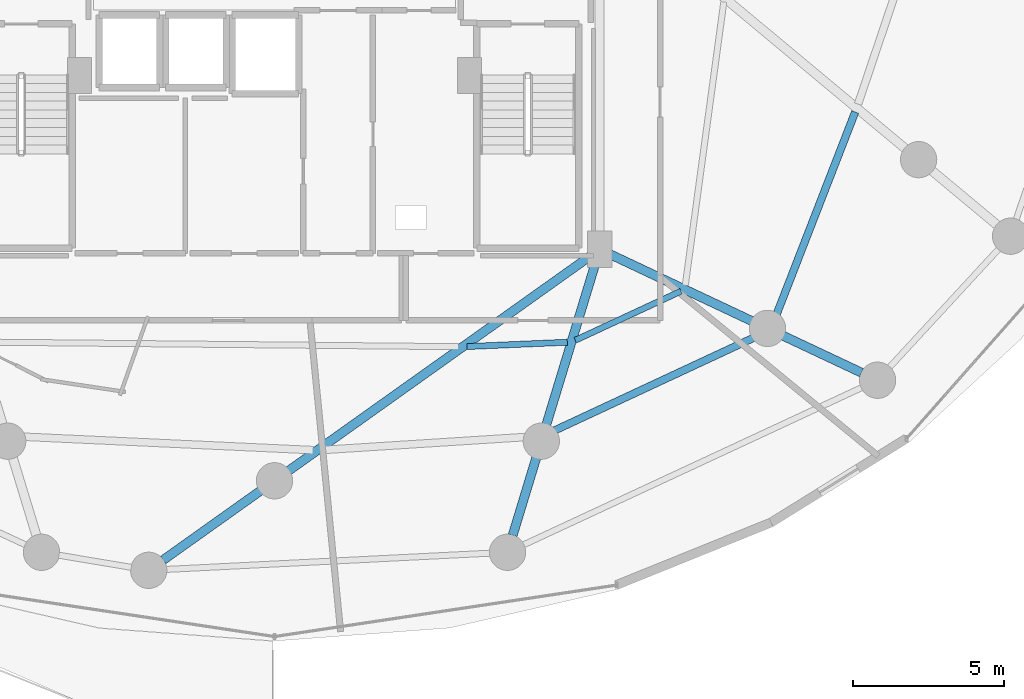
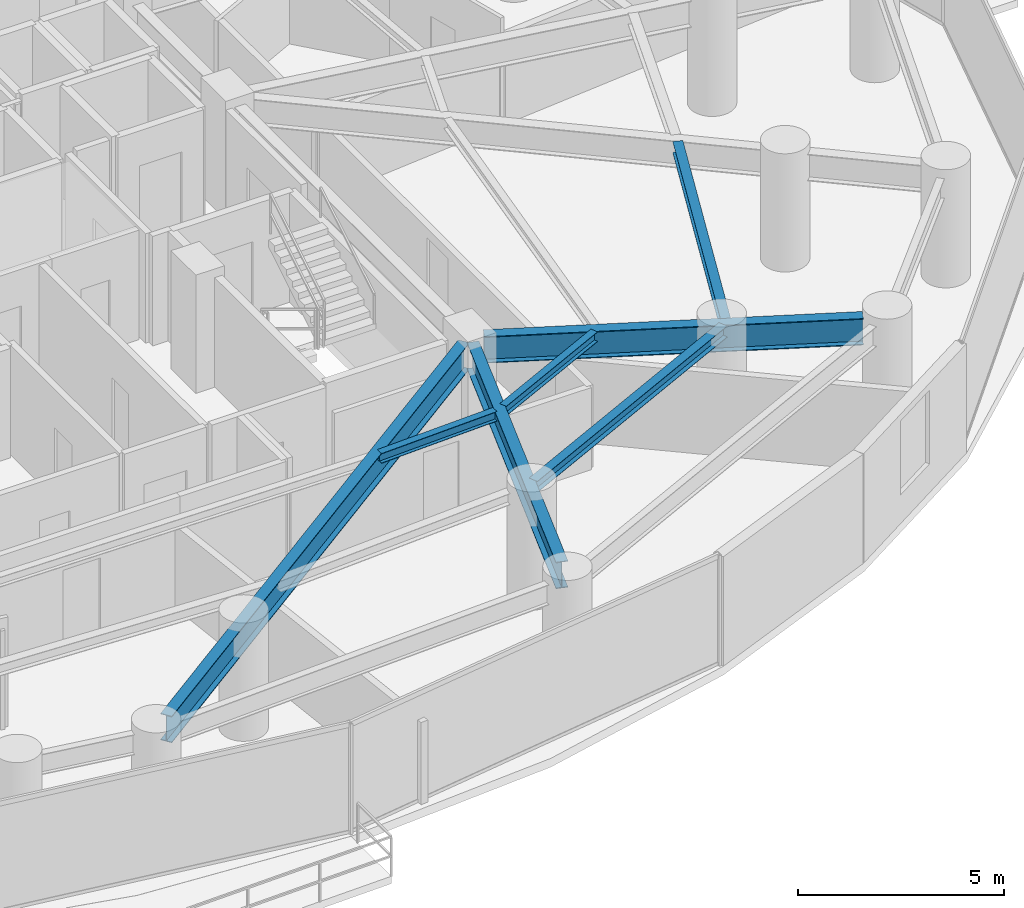
# One storey, part 10 of 30: 7 beams.
"""IFC4 building model written with IfcOpenShell, lengths in metres."""

from ifc_helpers import new_model, si_unit, direction, frame, origin, origin_2d, place, context, subcontext, project, spatial, i_section, extrude, material, material_profile, profile_set, type_object, element, save


model = new_model("IFC4")

# Units and contexts
model_context = context("Model", 3, precision=1e-05, world=origin(), true_north=direction((0.0, 1.0)))
body_context = subcontext(model_context, "Body", "Model", "MODEL_VIEW")
ifc_project = project(units=[si_unit("LENGTHUNIT", "METRE"), si_unit("AREAUNIT", "SQUARE_METRE"), si_unit("VOLUMEUNIT", "CUBIC_METRE"), si_unit("PLANEANGLEUNIT", "RADIAN"), si_unit("MASSUNIT", "GRAM", prefix="KILO")], contexts=[model_context])

# Site, building, storey
site_placement = place(None, origin())
site = spatial("IfcSite", under=ifc_project, at=site_placement, CompositionType="ELEMENT")
building_placement = place(site_placement, origin())
building = spatial("IfcBuilding", under=site, at=building_placement, Name="Vorneva Point Tower", CompositionType="ELEMENT")
storey_placement = place(building_placement, frame((0.0, 0.0, 55.5)))
storey = spatial("IfcBuildingStorey", under=building, at=storey_placement, Name="L14", CompositionType="ELEMENT", Elevation=55.5)

# Beams
ifc_material = material(Name="Steel S355", Category="steel")
ifc_material_profile_1 = material_profile(ifc_material, i_section(OverallWidth=0.300048828125, OverallDepth=0.7880859375, WebThickness=0.014404296875, FlangeThickness=0.02197265625, at=origin_2d()), Name="80Sh1")
ifc_profile_set_1 = profile_set([ifc_material_profile_1], Name="Steel S355")
beam_type_1 = type_object("IfcBeamType", Name="BM-GRD-80Sh1", PredefinedType="USERDEFINED", material=ifc_profile_set_1)
beam_1_placement = place(storey_placement, frame((34.319580078125, 6.180908203125, 2.845947265625), z_axis=(0.814753048612, 0.579808131865, 0.0), x_axis=(-0.579808131865, 0.814753048612, 0.0)))
element("IfcBeam", 1, at=beam_1_placement, inside=storey, type_object=beam_type_1, Name="L14 Radial Primary Girder 13", ObjectType="GIRDER", PredefinedType="USERDEFINED", context=body_context, shape_type="SweptSolid", body=[
    extrude(i_section(OverallWidth=0.300048828125, OverallDepth=0.7880859375, WebThickness=0.014404296875, FlangeThickness=0.02197265625, at=origin_2d()), origin(), (0.0, 0.0, 1.0), 17.371337890625),
])
beam_2_placement = place(storey_placement, frame((45.874267578125, 6.997802734375, 2.845947265625), z_axis=(0.29105061459, 0.956707656365, 0.0), x_axis=(-0.956707656365, 0.29105061459, 0.0)))
element("IfcBeam", 2, at=beam_2_placement, inside=storey, type_object=beam_type_1, Name="L14 Radial Primary Girder 14", ObjectType="GIRDER", PredefinedType="USERDEFINED", context=body_context, shape_type="SweptSolid", body=[
    extrude(i_section(OverallWidth=0.300048828125, OverallDepth=0.7880859375, WebThickness=0.014404296875, FlangeThickness=0.02197265625, at=origin_2d()), origin(), (0.0, 0.0, 1.0), 9.5400390625),
])
beam_3_placement = place(storey_placement, frame((57.40673828125, 12.37451171875, 2.845947265625), z_axis=(-0.904749139553, 0.425944825627, 0.0), x_axis=(-0.425944825627, -0.904749139553, 0.0)))
element("IfcBeam", 3, at=beam_3_placement, inside=storey, type_object=beam_type_1, Name="L14 Radial Primary Girder 15", ObjectType="GIRDER", PredefinedType="USERDEFINED", context=body_context, shape_type="SweptSolid", body=[
    extrude(i_section(OverallWidth=0.300048828125, OverallDepth=0.7880859375, WebThickness=0.014404296875, FlangeThickness=0.02197265625, at=origin_2d()), origin(), (0.0, 0.0, 1.0), 9.22802734375),
])
ifc_material_profile_2 = material_profile(ifc_material, i_section(OverallWidth=0.199951171875, OverallDepth=0.291015625, WebThickness=0.008056640625, FlangeThickness=0.010986328125, at=origin_2d()), Name="30Sh1")
ifc_profile_set_2 = profile_set([ifc_material_profile_2], Name="Steel S355")
beam_type_2 = type_object("IfcBeamType", Name="BM-SEC-30Sh1", PredefinedType="BEAM", material=ifc_profile_set_2)
beam_4_placement = place(storey_placement, frame((44.36474609375, 13.2373046875, 3.094482421875), z_axis=(0.999067092464, 0.043185006132, 0.0), x_axis=(-0.043185006132, 0.999067092464, 0.0)))
element("IfcBeam", 4, at=beam_4_placement, inside=storey, type_object=beam_type_2, Name="L14 Secondary Floor Beam 2.13", PredefinedType="BEAM", context=body_context, shape_type="SweptSolid", body=[
    extrude(i_section(OverallWidth=0.199951171875, OverallDepth=0.291015625, WebThickness=0.008056640625, FlangeThickness=0.010986328125, at=origin_2d()), origin(), (0.0, 0.0, 1.0), 3.318603515625),
])
beam_5_placement = place(storey_placement, frame((47.943115234375, 13.444580078125, 3.094482421875), z_axis=(0.906908671886, 0.421327260996, 0.0), x_axis=(-0.421327260996, 0.906908671886, 0.0)))
element("IfcBeam", 5, at=beam_5_placement, inside=storey, type_object=beam_type_2, Name="L14 Secondary Floor Beam 2.14", PredefinedType="BEAM", context=body_context, shape_type="SweptSolid", body=[
    extrude(i_section(OverallWidth=0.199951171875, OverallDepth=0.291015625, WebThickness=0.008056640625, FlangeThickness=0.010986328125, at=origin_2d()), origin(), (0.0, 0.0, 1.0), 3.852783203125),
])
ifc_material_profile_3 = material_profile(ifc_material, i_section(OverallWidth=0.2490234375, OverallDepth=0.333984375, WebThickness=0.008056640625, FlangeThickness=0.010986328125, at=origin_2d()), Name="35Sh1")
ifc_profile_set_3 = profile_set([ifc_material_profile_3], Name="Steel S355")
beam_type_3 = type_object("IfcBeamType", Name="BM-SEC-35Sh1", PredefinedType="BEAM", material=ifc_profile_set_3)
beam_6_placement = place(storey_placement, frame((46.998779296875, 10.341796875, 3.072998046875), z_axis=(0.906496779904, 0.4222127284, 0.0), x_axis=(-0.4222127284, 0.906496779904, 0.0)))
element("IfcBeam", 6, at=beam_6_placement, inside=storey, type_object=beam_type_3, Name="L14 Secondary Floor Beam 1.14", PredefinedType="BEAM", context=body_context, shape_type="SweptSolid", body=[
    extrude(i_section(OverallWidth=0.2490234375, OverallDepth=0.333984375, WebThickness=0.008056640625, FlangeThickness=0.010986328125, at=origin_2d()), origin(), (0.0, 0.0, 1.0), 8.02783203125),
])
beam_7_placement = place(storey_placement, frame((54.450927734375, 13.918212890625, 3.072998046875), z_axis=(0.362093874083, 0.932141634276, 0.0), x_axis=(-0.932141634276, 0.362093874083, 0.0)))
element("IfcBeam", 7, at=beam_7_placement, inside=storey, type_object=beam_type_3, Name="L14 Secondary Floor Beam 1.15", PredefinedType="BEAM", context=body_context, shape_type="SweptSolid", body=[
    extrude(i_section(OverallWidth=0.2490234375, OverallDepth=0.333984375, WebThickness=0.008056640625, FlangeThickness=0.010986328125, at=origin_2d()), origin(), (0.0, 0.0, 1.0), 7.590087890625),
])

save(model, "model.ifc")
